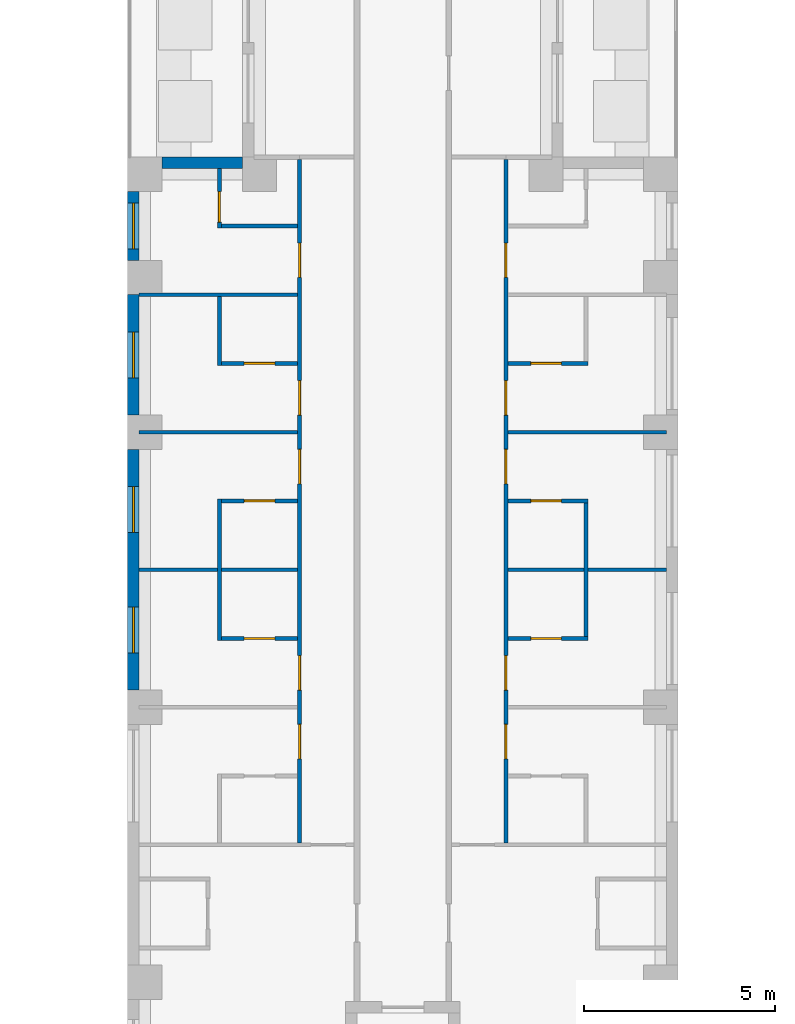
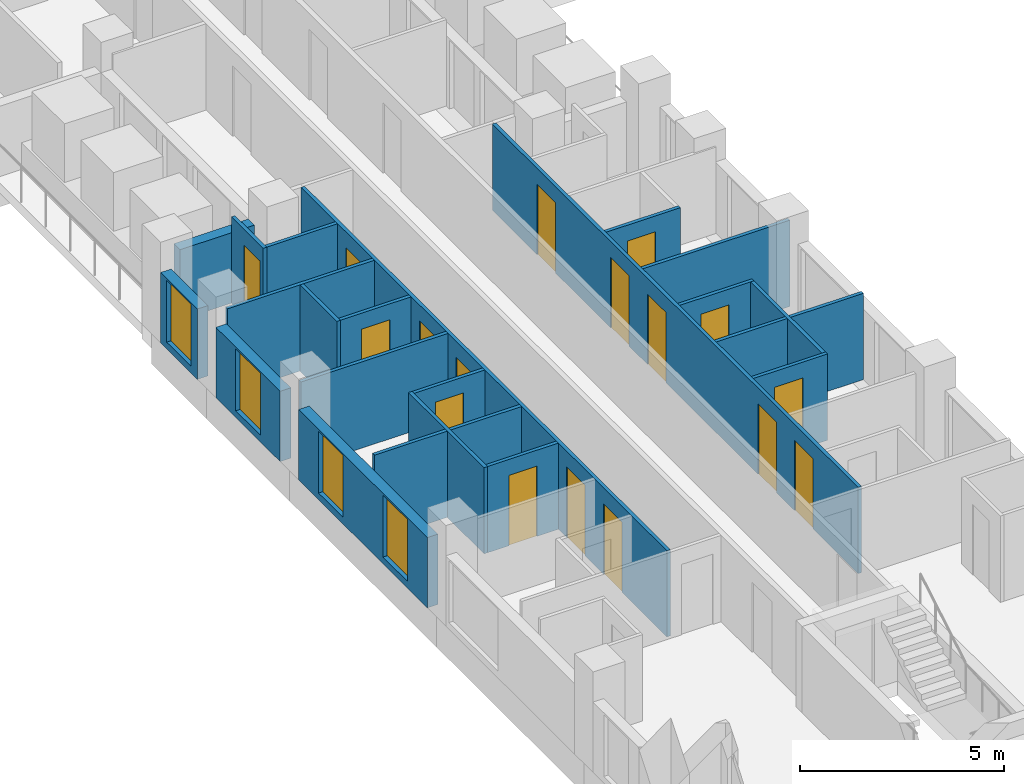
# One storey, part 4 of 14: 22 walls, 17 doors, 4 windows, 21 openings.
"""IFC4 building model written with IfcOpenShell, lengths in metres."""

from ifc_helpers import new_model, si_unit, direction, frame, frame_2d, origin, place, context, subcontext, project, spatial, rectangle, extrude, material, layer, layer_set, type_object, element, fill, save


model = new_model("IFC4")

# Units and contexts
model_context = context("Model", 3, precision=1e-05, world=origin(), true_north=direction((0.0, 1.0)))
body_context = subcontext(model_context, "Body", "Model", "MODEL_VIEW")
ifc_project = project(units=[si_unit("LENGTHUNIT", "METRE"), si_unit("AREAUNIT", "SQUARE_METRE"), si_unit("VOLUMEUNIT", "CUBIC_METRE"), si_unit("PLANEANGLEUNIT", "RADIAN"), si_unit("MASSUNIT", "GRAM", prefix="KILO")], contexts=[model_context])

# Site, building, storey
site_placement = place(None, origin())
site = spatial("IfcSite", under=ifc_project, at=site_placement, CompositionType="ELEMENT")
building_placement = place(site_placement, origin())
building = spatial("IfcBuilding", under=site, at=building_placement, Name="Fustian Cross Tower", CompositionType="ELEMENT")
storey_placement = place(building_placement, frame((0.0, 0.0, 96.89990234375)))
storey = spatial("IfcBuildingStorey", under=building, at=storey_placement, Name="L30", CompositionType="ELEMENT", Elevation=96.89990234375)

# Walls
ifc_material_1 = material(Name="Plasterboard on steel stud", Category="steel")
ifc_layer_1 = layer(ifc_material_1, 0.10009765625)
ifc_layer_set_1 = layer_set([ifc_layer_1], Name="Plasterboard on steel stud")
wall_type_1 = type_object("IfcWallType", Name="PARTITION 100 STUD", PredefinedType="PARTITIONING", material=ifc_layer_set_1)
for number, where, z_axis, x_axis, name in (
    (1, (-6.89990234375, -25.199951171875, 0.0), (0.0, 0.0, 1.0), (1.0, 0.0, 0.0), "Partition 19"),
    (2, (-6.89990234375, -21.60009765625, 0.0), (0.0, 0.0, 1.0), (1.0, 0.0, 0.0), "Partition 20"),
    (3, (-6.89990234375, -18.0, 0.0), (0.0, 0.0, 1.0), (1.0, 0.0, 0.0), "Partition 21"),
):
    element("IfcWall", number, at=place(storey_placement, frame(where, z_axis=z_axis, x_axis=x_axis)), inside=storey, type_object=wall_type_1, Name=name, PredefinedType="PARTITIONING", context=body_context, shape_type="SweptSolid", body=[
        extrude(rectangle(XDim=4.14990234375, YDim=0.10009765625, at=frame_2d((2.074951171875, 0.0))), origin(), (0.0, 0.0, 1.0), 2.5751953125),
    ])
wall_1_placement = place(storey_placement, frame((-4.800048828125, -27.050048828125, 0.0), z_axis=(0.0, 0.0, 1.0), x_axis=(0.0, 1.0, 0.0)))
element("IfcWall", 4, at=wall_1_placement, inside=storey, type_object=wall_type_1, Name="Partition 26", PredefinedType="PARTITIONING", context=body_context, shape_type="SweptSolid", body=[
    extrude(rectangle(XDim=3.699951171875, YDim=0.10009765625, at=frame_2d((1.85009765625, 0.0))), origin(), (0.0, 0.0, 1.0), 2.5751953125),
])

# Wall, opening, door
wall_2_placement = place(storey_placement, frame((-4.75, -27.0, 0.0), z_axis=(0.0, 0.0, 1.0), x_axis=(1.0, 0.0, 0.0)))
wall_2 = element("IfcWall", 5, at=wall_2_placement, inside=storey, type_object=wall_type_1, Name="Partition 27", PredefinedType="PARTITIONING", context=body_context, shape_type="SweptSolid", body=[
    extrude(rectangle(XDim=2.0, YDim=0.10009765625, at=frame_2d((1.0, 0.0))), origin(), (0.0, 0.0, 1.0), 2.5751953125),
])
opening_1_placement = place(wall_2_placement, frame((0.60009765625, 0.0, 0.0)))
opening_1 = element("IfcOpeningElement", 6, at=opening_1_placement, cuts=wall_2, Name="Opening D14062", PredefinedType="OPENING", context=body_context, shape_type="SweptSolid", body=[
    extrude(rectangle(XDim=0.800048828125, YDim=2.10009765625, at=frame_2d((0.39990234375, 1.050048828125))), frame((0.0, 0.06005859375, 0.0), z_axis=(0.0, -1.0, 0.0), x_axis=(1.0, 0.0, 0.0)), (0.0, 0.0, 1.0), 0.1201171875),
])
ifc_material_2 = material(Name="Painted timber", Category="wood")
door_type_1 = type_object("IfcDoorType", Name="SWING DOOR 800", OperationType="SINGLE_SWING_LEFT", PredefinedType="DOOR", material=ifc_material_2)
door_1_placement = place(opening_1_placement, origin())
door_1 = element("IfcDoor", 7, at=door_1_placement, inside=storey, type_object=door_type_1, Name="Door D14062", OperationType="SINGLE_SWING_LEFT", OverallHeight=2.10009765625, OverallWidth=0.800048828125, PredefinedType="DOOR", context=body_context, shape_type="SweptSolid", body=[
    extrude(rectangle(XDim=0.800048828125, YDim=2.10009765625, at=frame_2d((0.39990234375, 1.050048828125))), frame((0.0, 0.02490234375, 0.0), z_axis=(0.0, -1.0, 0.0), x_axis=(1.0, 0.0, 0.0)), (0.0, 0.0, 1.0), 0.050048828125),
])
fill(opening_1, door_1)

wall_3_placement = place(storey_placement, frame((-4.75, -23.39990234375, 0.0), z_axis=(0.0, 0.0, 1.0), x_axis=(1.0, 0.0, 0.0)))
wall_3 = element("IfcWall", 8, at=wall_3_placement, inside=storey, type_object=wall_type_1, Name="Partition 28", PredefinedType="PARTITIONING", context=body_context, shape_type="SweptSolid", body=[
    extrude(rectangle(XDim=2.0, YDim=0.10009765625, at=frame_2d((1.0, 0.0))), origin(), (0.0, 0.0, 1.0), 2.5751953125),
])
opening_2_placement = place(wall_3_placement, frame((0.60009765625, 0.0, 0.0)))
opening_2 = element("IfcOpeningElement", 9, at=opening_2_placement, cuts=wall_3, Name="Opening D14061", PredefinedType="OPENING", context=body_context, shape_type="SweptSolid", body=[
    extrude(rectangle(XDim=0.800048828125, YDim=2.10009765625, at=frame_2d((0.39990234375, 1.050048828125))), frame((0.0, 0.06005859375, 0.0), z_axis=(0.0, -1.0, 0.0), x_axis=(1.0, 0.0, 0.0)), (0.0, 0.0, 1.0), 0.1201171875),
])
door_2_placement = place(opening_2_placement, frame((0.800048828125, 0.0, 0.0), z_axis=(0.0, 0.0, 1.0), x_axis=(-1.0, 0.0, 0.0)))
door_2 = element("IfcDoor", 10, at=door_2_placement, inside=storey, type_object=door_type_1, Name="Door D14061", OperationType="SINGLE_SWING_RIGHT", OverallHeight=2.10009765625, OverallWidth=0.800048828125, PredefinedType="DOOR", context=body_context, shape_type="SweptSolid", body=[
    extrude(rectangle(XDim=0.800048828125, YDim=2.10009765625, at=frame_2d((0.39990234375, 1.050048828125))), frame((0.0, 0.02490234375, 0.0), z_axis=(0.0, -1.0, 0.0), x_axis=(1.0, 0.0, 0.0)), (0.0, 0.0, 1.0), 0.050048828125),
])
fill(opening_2, door_2)

# Wall
wall_4_placement = place(storey_placement, frame((-4.800048828125, -19.85009765625, 0.0), z_axis=(0.0, 0.0, 1.0), x_axis=(0.0, 1.0, 0.0)))
element("IfcWall", 11, at=wall_4_placement, inside=storey, type_object=wall_type_1, Name="Partition 29", PredefinedType="PARTITIONING", context=body_context, shape_type="SweptSolid", body=[
    extrude(rectangle(XDim=1.800048828125, YDim=0.10009765625, at=frame_2d((0.89990234375, 0.0))), origin(), (0.0, 0.0, 1.0), 2.5751953125),
])

# Wall, opening, door
wall_5_placement = place(storey_placement, frame((-4.75, -19.800048828125, 0.0), z_axis=(0.0, 0.0, 1.0), x_axis=(1.0, 0.0, 0.0)))
wall_5 = element("IfcWall", 12, at=wall_5_placement, inside=storey, type_object=wall_type_1, Name="Partition 30", PredefinedType="PARTITIONING", context=body_context, shape_type="SweptSolid", body=[
    extrude(rectangle(XDim=2.0, YDim=0.10009765625, at=frame_2d((1.0, 0.0))), origin(), (0.0, 0.0, 1.0), 2.5751953125),
])
opening_3_placement = place(wall_5_placement, frame((0.60009765625, 0.0, 0.0)))
opening_3 = element("IfcOpeningElement", 13, at=opening_3_placement, cuts=wall_5, Name="Opening D14060", PredefinedType="OPENING", context=body_context, shape_type="SweptSolid", body=[
    extrude(rectangle(XDim=0.800048828125, YDim=2.10009765625, at=frame_2d((0.39990234375, 1.050048828125))), frame((0.0, 0.06005859375, 0.0), z_axis=(0.0, -1.0, 0.0), x_axis=(1.0, 0.0, 0.0)), (0.0, 0.0, 1.0), 0.1201171875),
])
door_3_placement = place(opening_3_placement, origin())
door_3 = element("IfcDoor", 14, at=door_3_placement, inside=storey, type_object=door_type_1, Name="Door D14060", OperationType="SINGLE_SWING_LEFT", OverallHeight=2.10009765625, OverallWidth=0.800048828125, PredefinedType="DOOR", context=body_context, shape_type="SweptSolid", body=[
    extrude(rectangle(XDim=0.800048828125, YDim=2.10009765625, at=frame_2d((0.39990234375, 1.050048828125))), frame((0.0, 0.02490234375, 0.0), z_axis=(0.0, -1.0, 0.0), x_axis=(1.0, 0.0, 0.0)), (0.0, 0.0, 1.0), 0.050048828125),
])
fill(opening_3, door_3)

wall_6_placement = place(storey_placement, frame((-4.800048828125, -16.25, 0.0), z_axis=(0.0, 0.0, 1.0), x_axis=(0.0, 1.0, 0.0)))
wall_6 = element("IfcWall", 15, at=wall_6_placement, inside=storey, type_object=wall_type_1, Name="Partition 31", PredefinedType="PARTITIONING", context=body_context, shape_type="SweptSolid", body=[
    extrude(rectangle(XDim=1.550048828125, YDim=0.10009765625, at=frame_2d((0.77490234375, 0.0))), origin(), (0.0, 0.0, 1.0), 2.5751953125),
])
opening_4_placement = place(wall_6_placement, frame((0.14990234375, 0.0, 0.0)))
opening_4 = element("IfcOpeningElement", 16, at=opening_4_placement, cuts=wall_6, Name="Opening D14059", PredefinedType="OPENING", context=body_context, shape_type="SweptSolid", body=[
    extrude(rectangle(XDim=0.800048828125, YDim=2.10009765625, at=frame_2d((0.39990234375, 1.050048828125))), frame((0.0, 0.06005859375, 0.0), z_axis=(0.0, -1.0, 0.0), x_axis=(1.0, 0.0, 0.0)), (0.0, 0.0, 1.0), 0.1201171875),
])
door_4_placement = place(opening_4_placement, frame((0.800048828125, 0.0, 0.0), z_axis=(0.0, 0.0, 1.0), x_axis=(-1.0, 0.0, 0.0)))
door_4 = element("IfcDoor", 17, at=door_4_placement, inside=storey, type_object=door_type_1, Name="Door D14059", OperationType="SINGLE_SWING_RIGHT", OverallHeight=2.10009765625, OverallWidth=0.800048828125, PredefinedType="DOOR", context=body_context, shape_type="SweptSolid", body=[
    extrude(rectangle(XDim=0.800048828125, YDim=2.10009765625, at=frame_2d((0.39990234375, 1.050048828125))), frame((0.0, 0.02490234375, 0.0), z_axis=(0.0, -1.0, 0.0), x_axis=(1.0, 0.0, 0.0)), (0.0, 0.0, 1.0), 0.050048828125),
])
fill(opening_4, door_4)

# Wall
wall_7_placement = place(storey_placement, frame((-4.75, -16.199951171875, 0.0), z_axis=(0.0, 0.0, 1.0), x_axis=(1.0, 0.0, 0.0)))
element("IfcWall", 18, at=wall_7_placement, inside=storey, type_object=wall_type_1, Name="Partition 32", PredefinedType="PARTITIONING", context=body_context, shape_type="SweptSolid", body=[
    extrude(rectangle(XDim=2.0, YDim=0.10009765625, at=frame_2d((1.0, 0.0))), origin(), (0.0, 0.0, 1.0), 2.5751953125),
])

# Wall, openings, doors
wall_8_placement = place(storey_placement, frame((-2.699951171875, -32.35009765625, 0.0), z_axis=(0.0, 0.0, 1.0), x_axis=(0.0, 1.0, 0.0)))
wall_8 = element("IfcWall", 19, at=wall_8_placement, inside=storey, type_object=wall_type_1, Name="Partition 39", PredefinedType="PARTITIONING", context=body_context, shape_type="SweptSolid", body=[
    extrude(rectangle(XDim=17.8876953125, YDim=0.10009765625, at=frame_2d((8.94384765625, 0.0))), origin(), (0.0, 0.0, 1.0), 2.5751953125),
])
opening_5_placement = place(wall_8_placement, frame((2.199951171875, 0.0, 0.0)))
opening_5 = element("IfcOpeningElement", 20, at=opening_5_placement, cuts=wall_8, Name="Opening D14053", PredefinedType="OPENING", context=body_context, shape_type="SweptSolid", body=[
    extrude(rectangle(XDim=0.89990234375, YDim=2.10009765625, at=frame_2d((0.449951171875, 1.050048828125))), frame((0.0, 0.06005859375, 0.0), z_axis=(0.0, -1.0, 0.0), x_axis=(1.0, 0.0, 0.0)), (0.0, 0.0, 1.0), 0.1201171875),
])
opening_6_placement = place(wall_8_placement, frame((4.0, 0.0, 0.0)))
opening_6 = element("IfcOpeningElement", 21, at=opening_6_placement, cuts=wall_8, Name="Opening D14054", PredefinedType="OPENING", context=body_context, shape_type="SweptSolid", body=[
    extrude(rectangle(XDim=0.89990234375, YDim=2.10009765625, at=frame_2d((0.449951171875, 1.050048828125))), frame((0.0, 0.06005859375, 0.0), z_axis=(0.0, -1.0, 0.0), x_axis=(1.0, 0.0, 0.0)), (0.0, 0.0, 1.0), 0.1201171875),
])
opening_7_placement = place(wall_8_placement, frame((9.39990234375, 0.0, 0.0)))
opening_7 = element("IfcOpeningElement", 22, at=opening_7_placement, cuts=wall_8, Name="Opening D14055", PredefinedType="OPENING", context=body_context, shape_type="SweptSolid", body=[
    extrude(rectangle(XDim=0.89990234375, YDim=2.10009765625, at=frame_2d((0.449951171875, 1.050048828125))), frame((0.0, 0.06005859375, 0.0), z_axis=(0.0, -1.0, 0.0), x_axis=(1.0, 0.0, 0.0)), (0.0, 0.0, 1.0), 0.1201171875),
])
opening_8_placement = place(wall_8_placement, frame((11.199951171875, 0.0, 0.0)))
opening_8 = element("IfcOpeningElement", 23, at=opening_8_placement, cuts=wall_8, Name="Opening D14056", PredefinedType="OPENING", context=body_context, shape_type="SweptSolid", body=[
    extrude(rectangle(XDim=0.89990234375, YDim=2.10009765625, at=frame_2d((0.449951171875, 1.050048828125))), frame((0.0, 0.06005859375, 0.0), z_axis=(0.0, -1.0, 0.0), x_axis=(1.0, 0.0, 0.0)), (0.0, 0.0, 1.0), 0.1201171875),
])
opening_9_placement = place(wall_8_placement, frame((14.800048828125, 0.0, 0.0)))
opening_9 = element("IfcOpeningElement", 24, at=opening_9_placement, cuts=wall_8, Name="Opening D14057", PredefinedType="OPENING", context=body_context, shape_type="SweptSolid", body=[
    extrude(rectangle(XDim=0.89990234375, YDim=2.10009765625, at=frame_2d((0.449951171875, 1.050048828125))), frame((0.0, 0.06005859375, 0.0), z_axis=(0.0, -1.0, 0.0), x_axis=(1.0, 0.0, 0.0)), (0.0, 0.0, 1.0), 0.1201171875),
])
ifc_material_3 = material(Name="Painted timber", Category="wood")
door_type_2 = type_object("IfcDoorType", Name="SWING DOOR 900", OperationType="SINGLE_SWING_LEFT", PredefinedType="DOOR", material=ifc_material_3)
door_5_placement = place(opening_5_placement, origin())
door_5 = element("IfcDoor", 25, at=door_5_placement, inside=storey, type_object=door_type_2, Name="Door D14053", OperationType="SINGLE_SWING_LEFT", OverallHeight=2.10009765625, OverallWidth=0.89990234375, PredefinedType="DOOR", context=body_context, shape_type="SweptSolid", body=[
    extrude(rectangle(XDim=0.89990234375, YDim=2.10009765625, at=frame_2d((0.449951171875, 1.050048828125))), frame((0.0, 0.02490234375, 0.0), z_axis=(0.0, -1.0, 0.0), x_axis=(1.0, 0.0, 0.0)), (0.0, 0.0, 1.0), 0.050048828125),
])
fill(opening_5, door_5)
door_6_placement = place(opening_6_placement, origin())
door_6 = element("IfcDoor", 26, at=door_6_placement, inside=storey, type_object=door_type_2, Name="Door D14054", OperationType="SINGLE_SWING_LEFT", OverallHeight=2.10009765625, OverallWidth=0.89990234375, PredefinedType="DOOR", context=body_context, shape_type="SweptSolid", body=[
    extrude(rectangle(XDim=0.89990234375, YDim=2.10009765625, at=frame_2d((0.449951171875, 1.050048828125))), frame((0.0, 0.02490234375, 0.0), z_axis=(0.0, -1.0, 0.0), x_axis=(1.0, 0.0, 0.0)), (0.0, 0.0, 1.0), 0.050048828125),
])
fill(opening_6, door_6)
door_7_placement = place(opening_7_placement, origin())
door_7 = element("IfcDoor", 27, at=door_7_placement, inside=storey, type_object=door_type_2, Name="Door D14055", OperationType="SINGLE_SWING_LEFT", OverallHeight=2.10009765625, OverallWidth=0.89990234375, PredefinedType="DOOR", context=body_context, shape_type="SweptSolid", body=[
    extrude(rectangle(XDim=0.89990234375, YDim=2.10009765625, at=frame_2d((0.449951171875, 1.050048828125))), frame((0.0, 0.02490234375, 0.0), z_axis=(0.0, -1.0, 0.0), x_axis=(1.0, 0.0, 0.0)), (0.0, 0.0, 1.0), 0.050048828125),
])
fill(opening_7, door_7)
door_8_placement = place(opening_8_placement, origin())
door_8 = element("IfcDoor", 28, at=door_8_placement, inside=storey, type_object=door_type_2, Name="Door D14056", OperationType="SINGLE_SWING_LEFT", OverallHeight=2.10009765625, OverallWidth=0.89990234375, PredefinedType="DOOR", context=body_context, shape_type="SweptSolid", body=[
    extrude(rectangle(XDim=0.89990234375, YDim=2.10009765625, at=frame_2d((0.449951171875, 1.050048828125))), frame((0.0, 0.02490234375, 0.0), z_axis=(0.0, -1.0, 0.0), x_axis=(1.0, 0.0, 0.0)), (0.0, 0.0, 1.0), 0.050048828125),
])
fill(opening_8, door_8)
door_9_placement = place(opening_9_placement, origin())
door_9 = element("IfcDoor", 29, at=door_9_placement, inside=storey, type_object=door_type_2, Name="Door D14057", OperationType="SINGLE_SWING_LEFT", OverallHeight=2.10009765625, OverallWidth=0.89990234375, PredefinedType="DOOR", context=body_context, shape_type="SweptSolid", body=[
    extrude(rectangle(XDim=0.89990234375, YDim=2.10009765625, at=frame_2d((0.449951171875, 1.050048828125))), frame((0.0, 0.02490234375, 0.0), z_axis=(0.0, -1.0, 0.0), x_axis=(1.0, 0.0, 0.0)), (0.0, 0.0, 1.0), 0.050048828125),
])
fill(opening_9, door_9)

wall_9_placement = place(storey_placement, frame((2.699951171875, -32.35009765625, 0.0), z_axis=(0.0, 0.0, 1.0), x_axis=(0.0, 1.0, 0.0)))
wall_9 = element("IfcWall", 30, at=wall_9_placement, inside=storey, type_object=wall_type_1, Name="Partition 56", PredefinedType="PARTITIONING", context=body_context, shape_type="SweptSolid", body=[
    extrude(rectangle(XDim=17.8876953125, YDim=0.10009765625, at=frame_2d((8.94384765625, 0.0))), origin(), (0.0, 0.0, 1.0), 2.5751953125),
])
opening_10_placement = place(wall_9_placement, frame((2.199951171875, 0.0, 0.0)))
opening_10 = element("IfcOpeningElement", 31, at=opening_10_placement, cuts=wall_9, Name="Opening D14040", PredefinedType="OPENING", context=body_context, shape_type="SweptSolid", body=[
    extrude(rectangle(XDim=0.89990234375, YDim=2.10009765625, at=frame_2d((0.449951171875, 1.050048828125))), frame((0.0, 0.06005859375, 0.0), z_axis=(0.0, -1.0, 0.0), x_axis=(1.0, 0.0, 0.0)), (0.0, 0.0, 1.0), 0.1201171875),
])
opening_11_placement = place(wall_9_placement, frame((4.0, 0.0, 0.0)))
opening_11 = element("IfcOpeningElement", 32, at=opening_11_placement, cuts=wall_9, Name="Opening D14041", PredefinedType="OPENING", context=body_context, shape_type="SweptSolid", body=[
    extrude(rectangle(XDim=0.89990234375, YDim=2.10009765625, at=frame_2d((0.449951171875, 1.050048828125))), frame((0.0, 0.06005859375, 0.0), z_axis=(0.0, -1.0, 0.0), x_axis=(1.0, 0.0, 0.0)), (0.0, 0.0, 1.0), 0.1201171875),
])
opening_12_placement = place(wall_9_placement, frame((9.39990234375, 0.0, 0.0)))
opening_12 = element("IfcOpeningElement", 33, at=opening_12_placement, cuts=wall_9, Name="Opening D14042", PredefinedType="OPENING", context=body_context, shape_type="SweptSolid", body=[
    extrude(rectangle(XDim=0.89990234375, YDim=2.10009765625, at=frame_2d((0.449951171875, 1.050048828125))), frame((0.0, 0.06005859375, 0.0), z_axis=(0.0, -1.0, 0.0), x_axis=(1.0, 0.0, 0.0)), (0.0, 0.0, 1.0), 0.1201171875),
])
opening_13_placement = place(wall_9_placement, frame((11.199951171875, 0.0, 0.0)))
opening_13 = element("IfcOpeningElement", 34, at=opening_13_placement, cuts=wall_9, Name="Opening D14043", PredefinedType="OPENING", context=body_context, shape_type="SweptSolid", body=[
    extrude(rectangle(XDim=0.89990234375, YDim=2.10009765625, at=frame_2d((0.449951171875, 1.050048828125))), frame((0.0, 0.06005859375, 0.0), z_axis=(0.0, -1.0, 0.0), x_axis=(1.0, 0.0, 0.0)), (0.0, 0.0, 1.0), 0.1201171875),
])
opening_14_placement = place(wall_9_placement, frame((14.800048828125, 0.0, 0.0)))
opening_14 = element("IfcOpeningElement", 35, at=opening_14_placement, cuts=wall_9, Name="Opening D14044", PredefinedType="OPENING", context=body_context, shape_type="SweptSolid", body=[
    extrude(rectangle(XDim=0.89990234375, YDim=2.10009765625, at=frame_2d((0.449951171875, 1.050048828125))), frame((0.0, 0.06005859375, 0.0), z_axis=(0.0, -1.0, 0.0), x_axis=(1.0, 0.0, 0.0)), (0.0, 0.0, 1.0), 0.1201171875),
])
door_10_placement = place(opening_10_placement, frame((0.89990234375, 0.0, 0.0), z_axis=(0.0, 0.0, 1.0), x_axis=(-1.0, 0.0, 0.0)))
door_10 = element("IfcDoor", 36, at=door_10_placement, inside=storey, type_object=door_type_2, Name="Door D14040", OperationType="SINGLE_SWING_RIGHT", OverallHeight=2.10009765625, OverallWidth=0.89990234375, PredefinedType="DOOR", context=body_context, shape_type="SweptSolid", body=[
    extrude(rectangle(XDim=0.89990234375, YDim=2.10009765625, at=frame_2d((0.449951171875, 1.050048828125))), frame((0.0, 0.02490234375, 0.0), z_axis=(0.0, -1.0, 0.0), x_axis=(1.0, 0.0, 0.0)), (0.0, 0.0, 1.0), 0.050048828125),
])
fill(opening_10, door_10)
door_11_placement = place(opening_11_placement, frame((0.89990234375, 0.0, 0.0), z_axis=(0.0, 0.0, 1.0), x_axis=(-1.0, 0.0, 0.0)))
door_11 = element("IfcDoor", 37, at=door_11_placement, inside=storey, type_object=door_type_2, Name="Door D14041", OperationType="SINGLE_SWING_RIGHT", OverallHeight=2.10009765625, OverallWidth=0.89990234375, PredefinedType="DOOR", context=body_context, shape_type="SweptSolid", body=[
    extrude(rectangle(XDim=0.89990234375, YDim=2.10009765625, at=frame_2d((0.449951171875, 1.050048828125))), frame((0.0, 0.02490234375, 0.0), z_axis=(0.0, -1.0, 0.0), x_axis=(1.0, 0.0, 0.0)), (0.0, 0.0, 1.0), 0.050048828125),
])
fill(opening_11, door_11)
door_12_placement = place(opening_12_placement, frame((0.89990234375, 0.0, 0.0), z_axis=(0.0, 0.0, 1.0), x_axis=(-1.0, 0.0, 0.0)))
door_12 = element("IfcDoor", 38, at=door_12_placement, inside=storey, type_object=door_type_2, Name="Door D14042", OperationType="SINGLE_SWING_RIGHT", OverallHeight=2.10009765625, OverallWidth=0.89990234375, PredefinedType="DOOR", context=body_context, shape_type="SweptSolid", body=[
    extrude(rectangle(XDim=0.89990234375, YDim=2.10009765625, at=frame_2d((0.449951171875, 1.050048828125))), frame((0.0, 0.02490234375, 0.0), z_axis=(0.0, -1.0, 0.0), x_axis=(1.0, 0.0, 0.0)), (0.0, 0.0, 1.0), 0.050048828125),
])
fill(opening_12, door_12)
door_13_placement = place(opening_13_placement, frame((0.89990234375, 0.0, 0.0), z_axis=(0.0, 0.0, 1.0), x_axis=(-1.0, 0.0, 0.0)))
door_13 = element("IfcDoor", 39, at=door_13_placement, inside=storey, type_object=door_type_2, Name="Door D14043", OperationType="SINGLE_SWING_RIGHT", OverallHeight=2.10009765625, OverallWidth=0.89990234375, PredefinedType="DOOR", context=body_context, shape_type="SweptSolid", body=[
    extrude(rectangle(XDim=0.89990234375, YDim=2.10009765625, at=frame_2d((0.449951171875, 1.050048828125))), frame((0.0, 0.02490234375, 0.0), z_axis=(0.0, -1.0, 0.0), x_axis=(1.0, 0.0, 0.0)), (0.0, 0.0, 1.0), 0.050048828125),
])
fill(opening_13, door_13)
door_14_placement = place(opening_14_placement, frame((0.89990234375, 0.0, 0.0), z_axis=(0.0, 0.0, 1.0), x_axis=(-1.0, 0.0, 0.0)))
door_14 = element("IfcDoor", 40, at=door_14_placement, inside=storey, type_object=door_type_2, Name="Door D14044", OperationType="SINGLE_SWING_RIGHT", OverallHeight=2.10009765625, OverallWidth=0.89990234375, PredefinedType="DOOR", context=body_context, shape_type="SweptSolid", body=[
    extrude(rectangle(XDim=0.89990234375, YDim=2.10009765625, at=frame_2d((0.449951171875, 1.050048828125))), frame((0.0, 0.02490234375, 0.0), z_axis=(0.0, -1.0, 0.0), x_axis=(1.0, 0.0, 0.0)), (0.0, 0.0, 1.0), 0.050048828125),
])
fill(opening_14, door_14)

# Wall, opening, door
wall_10_placement = place(storey_placement, frame((2.75, -27.0, 0.0), z_axis=(0.0, 0.0, 1.0), x_axis=(1.0, 0.0, 0.0)))
wall_10 = element("IfcWall", 41, at=wall_10_placement, inside=storey, type_object=wall_type_1, Name="Partition 59", PredefinedType="PARTITIONING", context=body_context, shape_type="SweptSolid", body=[
    extrude(rectangle(XDim=2.10009765625, YDim=0.10009765625, at=frame_2d((1.050048828125, 0.0))), origin(), (0.0, 0.0, 1.0), 2.5751953125),
])
opening_15_placement = place(wall_10_placement, frame((0.60009765625, 0.0, 0.0)))
opening_15 = element("IfcOpeningElement", 42, at=opening_15_placement, cuts=wall_10, Name="Opening D14048", PredefinedType="OPENING", context=body_context, shape_type="SweptSolid", body=[
    extrude(rectangle(XDim=0.800048828125, YDim=2.10009765625, at=frame_2d((0.39990234375, 1.050048828125))), frame((0.0, 0.06005859375, 0.0), z_axis=(0.0, -1.0, 0.0), x_axis=(1.0, 0.0, 0.0)), (0.0, 0.0, 1.0), 0.1201171875),
])
door_15_placement = place(opening_15_placement, origin())
door_15 = element("IfcDoor", 43, at=door_15_placement, inside=storey, type_object=door_type_1, Name="Door D14048", OperationType="SINGLE_SWING_LEFT", OverallHeight=2.10009765625, OverallWidth=0.800048828125, PredefinedType="DOOR", context=body_context, shape_type="SweptSolid", body=[
    extrude(rectangle(XDim=0.800048828125, YDim=2.10009765625, at=frame_2d((0.39990234375, 1.050048828125))), frame((0.0, 0.02490234375, 0.0), z_axis=(0.0, -1.0, 0.0), x_axis=(1.0, 0.0, 0.0)), (0.0, 0.0, 1.0), 0.050048828125),
])
fill(opening_15, door_15)

# Wall
wall_11_placement = place(storey_placement, frame((2.75, -25.199951171875, 0.0), z_axis=(0.0, 0.0, 1.0), x_axis=(1.0, 0.0, 0.0)))
element("IfcWall", 44, at=wall_11_placement, inside=storey, type_object=wall_type_1, Name="Partition 60", PredefinedType="PARTITIONING", context=body_context, shape_type="SweptSolid", body=[
    extrude(rectangle(XDim=4.14990234375, YDim=0.10009765625, at=frame_2d((2.074951171875, 0.0))), origin(), (0.0, 0.0, 1.0), 2.5751953125),
])

# Wall, opening, door
wall_12_placement = place(storey_placement, frame((2.75, -23.39990234375, 0.0), z_axis=(0.0, 0.0, 1.0), x_axis=(1.0, 0.0, 0.0)))
wall_12 = element("IfcWall", 45, at=wall_12_placement, inside=storey, type_object=wall_type_1, Name="Partition 61", PredefinedType="PARTITIONING", context=body_context, shape_type="SweptSolid", body=[
    extrude(rectangle(XDim=2.10009765625, YDim=0.10009765625, at=frame_2d((1.050048828125, 0.0))), origin(), (0.0, 0.0, 1.0), 2.5751953125),
])
opening_16_placement = place(wall_12_placement, frame((0.60009765625, 0.0, 0.0)))
opening_16 = element("IfcOpeningElement", 46, at=opening_16_placement, cuts=wall_12, Name="Opening D14047", PredefinedType="OPENING", context=body_context, shape_type="SweptSolid", body=[
    extrude(rectangle(XDim=0.800048828125, YDim=2.10009765625, at=frame_2d((0.39990234375, 1.050048828125))), frame((0.0, 0.06005859375, 0.0), z_axis=(0.0, -1.0, 0.0), x_axis=(1.0, 0.0, 0.0)), (0.0, 0.0, 1.0), 0.1201171875),
])
door_16_placement = place(opening_16_placement, frame((0.800048828125, 0.0, 0.0), z_axis=(0.0, 0.0, 1.0), x_axis=(-1.0, 0.0, 0.0)))
door_16 = element("IfcDoor", 47, at=door_16_placement, inside=storey, type_object=door_type_1, Name="Door D14047", OperationType="SINGLE_SWING_RIGHT", OverallHeight=2.10009765625, OverallWidth=0.800048828125, PredefinedType="DOOR", context=body_context, shape_type="SweptSolid", body=[
    extrude(rectangle(XDim=0.800048828125, YDim=2.10009765625, at=frame_2d((0.39990234375, 1.050048828125))), frame((0.0, 0.02490234375, 0.0), z_axis=(0.0, -1.0, 0.0), x_axis=(1.0, 0.0, 0.0)), (0.0, 0.0, 1.0), 0.050048828125),
])
fill(opening_16, door_16)

# Wall
wall_13_placement = place(storey_placement, frame((2.75, -21.60009765625, 0.0), z_axis=(0.0, 0.0, 1.0), x_axis=(1.0, 0.0, 0.0)))
element("IfcWall", 48, at=wall_13_placement, inside=storey, type_object=wall_type_1, Name="Partition 62", PredefinedType="PARTITIONING", context=body_context, shape_type="SweptSolid", body=[
    extrude(rectangle(XDim=4.14990234375, YDim=0.10009765625, at=frame_2d((2.074951171875, 0.0))), origin(), (0.0, 0.0, 1.0), 2.5751953125),
])

# Wall, opening, door
wall_14_placement = place(storey_placement, frame((2.75, -19.800048828125, 0.0), z_axis=(0.0, 0.0, 1.0), x_axis=(1.0, 0.0, 0.0)))
wall_14 = element("IfcWall", 49, at=wall_14_placement, inside=storey, type_object=wall_type_1, Name="Partition 63", PredefinedType="PARTITIONING", context=body_context, shape_type="SweptSolid", body=[
    extrude(rectangle(XDim=2.10009765625, YDim=0.10009765625, at=frame_2d((1.050048828125, 0.0))), origin(), (0.0, 0.0, 1.0), 2.5751953125),
])
opening_17_placement = place(wall_14_placement, frame((0.60009765625, 0.0, 0.0)))
opening_17 = element("IfcOpeningElement", 50, at=opening_17_placement, cuts=wall_14, Name="Opening D14046", PredefinedType="OPENING", context=body_context, shape_type="SweptSolid", body=[
    extrude(rectangle(XDim=0.800048828125, YDim=2.10009765625, at=frame_2d((0.39990234375, 1.050048828125))), frame((0.0, 0.06005859375, 0.0), z_axis=(0.0, -1.0, 0.0), x_axis=(1.0, 0.0, 0.0)), (0.0, 0.0, 1.0), 0.1201171875),
])
door_17_placement = place(opening_17_placement, origin())
door_17 = element("IfcDoor", 51, at=door_17_placement, inside=storey, type_object=door_type_1, Name="Door D14046", OperationType="SINGLE_SWING_LEFT", OverallHeight=2.10009765625, OverallWidth=0.800048828125, PredefinedType="DOOR", context=body_context, shape_type="SweptSolid", body=[
    extrude(rectangle(XDim=0.800048828125, YDim=2.10009765625, at=frame_2d((0.39990234375, 1.050048828125))), frame((0.0, 0.02490234375, 0.0), z_axis=(0.0, -1.0, 0.0), x_axis=(1.0, 0.0, 0.0)), (0.0, 0.0, 1.0), 0.050048828125),
])
fill(opening_17, door_17)

# Walls
wall_15_placement = place(storey_placement, frame((4.800048828125, -26.949951171875, 0.0), z_axis=(0.0, 0.0, 1.0), x_axis=(0.0, 1.0, 0.0)))
element("IfcWall", 52, at=wall_15_placement, inside=storey, type_object=wall_type_1, Name="Partition 70", PredefinedType="PARTITIONING", context=body_context, shape_type="SweptSolid", body=[
    extrude(rectangle(XDim=3.5, YDim=0.10009765625, at=frame_2d((1.75, 0.0))), origin(), (0.0, 0.0, 1.0), 2.5751953125),
])
ifc_material_4 = material(Name="Dark aluminium cladding on insulated backing wall", Category="aluminium")
ifc_layer_2 = layer(ifc_material_4, 0.300048828125)
ifc_layer_set_2 = layer_set([ifc_layer_2], Name="Dark aluminium cladding on insulated backing wall")
wall_type_2 = type_object("IfcWallType", Name="XW1 EXTERNAL WALL 300", PredefinedType="SOLIDWALL", material=ifc_layer_set_2)
wall_16_placement = place(storey_placement, frame((-4.199951171875, -14.550048828125, 0.0), z_axis=(0.0, 0.0, 1.0), x_axis=(-1.0, 0.0, 0.0)))
element("IfcWall", 53, at=wall_16_placement, inside=storey, type_object=wall_type_2, Name="External wall", PredefinedType="SOLIDWALL", context=body_context, shape_type="SweptSolid", body=[
    extrude(rectangle(XDim=2.10009765625, YDim=0.300048828125, at=frame_2d((1.050048828125, 0.0))), origin(), (0.0, 0.0, 1.0), 2.10009765625),
])

# Wall, opening, window
wall_17_placement = place(storey_placement, frame((-7.050048828125, -15.300048828125, 0.0), z_axis=(0.0, 0.0, 1.0), x_axis=(0.0, -1.0, 0.0)))
wall_17 = element("IfcWall", 54, at=wall_17_placement, inside=storey, type_object=wall_type_2, Name="External wall", PredefinedType="SOLIDWALL", context=body_context, shape_type="SweptSolid", body=[
    extrude(rectangle(XDim=1.800048828125, YDim=0.300048828125, at=frame_2d((0.89990234375, 0.0))), origin(), (0.0, 0.0, 1.0), 2.10009765625),
])
opening_18_placement = place(wall_17_placement, frame((0.300048828125, 0.0, 0.199951171875)))
opening_18 = element("IfcOpeningElement", 55, at=opening_18_placement, cuts=wall_17, Name="Opening WN3", PredefinedType="OPENING", context=body_context, shape_type="SweptSolid", body=[
    extrude(rectangle(XDim=1.199951171875, YDim=1.85009765625, at=frame_2d((0.60009765625, 0.925048828125))), frame((0.0, 0.159912109375, 0.0), z_axis=(0.0, -1.0, 0.0), x_axis=(1.0, 0.0, 0.0)), (0.0, 0.0, 1.0), 0.320068359375),
])
ifc_material_5 = material(Name="Dark anodised aluminium and double glazing", Category="aluminium")
window_type = type_object("IfcWindowType", Name="WN3 WINDOW 1200X1850", PartitioningType="SINGLE_PANEL", PredefinedType="WINDOW", material=ifc_material_5)
window_1_placement = place(opening_18_placement, origin())
window_1 = element("IfcWindow", 56, at=window_1_placement, inside=storey, type_object=window_type, Name="Window", OverallHeight=1.85009765625, OverallWidth=1.199951171875, PartitioningType="SINGLE_PANEL", PredefinedType="WINDOW", context=body_context, shape_type="SweptSolid", body=[
    extrude(rectangle(XDim=1.199951171875, YDim=1.85009765625, at=frame_2d((0.60009765625, 0.925048828125))), frame((0.0, 0.030029296875, 0.0), z_axis=(0.0, -1.0, 0.0), x_axis=(1.0, 0.0, 0.0)), (0.0, 0.0, 1.0), 0.06005859375),
])
fill(opening_18, window_1)

wall_18_placement = place(storey_placement, frame((-7.050048828125, -18.0, 0.0), z_axis=(0.0, 0.0, 1.0), x_axis=(0.0, -1.0, 0.0)))
wall_18 = element("IfcWall", 57, at=wall_18_placement, inside=storey, type_object=wall_type_2, Name="External wall", PredefinedType="SOLIDWALL", context=body_context, shape_type="SweptSolid", body=[
    extrude(rectangle(XDim=3.14990234375, YDim=0.300048828125, at=frame_2d((1.574951171875, 0.0))), origin(), (0.0, 0.0, 1.0), 2.10009765625),
])
opening_19_placement = place(wall_18_placement, frame((0.97509765625, 0.0, 0.199951171875)))
opening_19 = element("IfcOpeningElement", 58, at=opening_19_placement, cuts=wall_18, Name="Opening WN3", PredefinedType="OPENING", context=body_context, shape_type="SweptSolid", body=[
    extrude(rectangle(XDim=1.199951171875, YDim=1.85009765625, at=frame_2d((0.60009765625, 0.925048828125))), frame((0.0, 0.159912109375, 0.0), z_axis=(0.0, -1.0, 0.0), x_axis=(1.0, 0.0, 0.0)), (0.0, 0.0, 1.0), 0.320068359375),
])
window_2_placement = place(opening_19_placement, origin())
window_2 = element("IfcWindow", 59, at=window_2_placement, inside=storey, type_object=window_type, Name="Window", OverallHeight=1.85009765625, OverallWidth=1.199951171875, PartitioningType="SINGLE_PANEL", PredefinedType="WINDOW", context=body_context, shape_type="SweptSolid", body=[
    extrude(rectangle(XDim=1.199951171875, YDim=1.85009765625, at=frame_2d((0.60009765625, 0.925048828125))), frame((0.0, 0.030029296875, 0.0), z_axis=(0.0, -1.0, 0.0), x_axis=(1.0, 0.0, 0.0)), (0.0, 0.0, 1.0), 0.06005859375),
])
fill(opening_19, window_2)

# Wall, openings, windows
wall_19_placement = place(storey_placement, frame((-7.050048828125, -22.050048828125, 0.0), z_axis=(0.0, 0.0, 1.0), x_axis=(0.0, -1.0, 0.0)))
wall_19 = element("IfcWall", 60, at=wall_19_placement, inside=storey, type_object=wall_type_2, Name="External wall", PredefinedType="SOLIDWALL", context=body_context, shape_type="SweptSolid", body=[
    extrude(rectangle(XDim=6.300048828125, YDim=0.300048828125, at=frame_2d((3.14990234375, 0.0))), origin(), (0.0, 0.0, 1.0), 2.10009765625),
])
opening_20_placement = place(wall_19_placement, frame((0.97509765625, 0.0, 0.199951171875)))
opening_20 = element("IfcOpeningElement", 61, at=opening_20_placement, cuts=wall_19, Name="Opening WN3", PredefinedType="OPENING", context=body_context, shape_type="SweptSolid", body=[
    extrude(rectangle(XDim=1.199951171875, YDim=1.85009765625, at=frame_2d((0.60009765625, 0.925048828125))), frame((0.0, 0.159912109375, 0.0), z_axis=(0.0, -1.0, 0.0), x_axis=(1.0, 0.0, 0.0)), (0.0, 0.0, 1.0), 0.320068359375),
])
opening_21_placement = place(wall_19_placement, frame((4.125, 0.0, 0.199951171875)))
opening_21 = element("IfcOpeningElement", 62, at=opening_21_placement, cuts=wall_19, Name="Opening WN3", PredefinedType="OPENING", context=body_context, shape_type="SweptSolid", body=[
    extrude(rectangle(XDim=1.199951171875, YDim=1.85009765625, at=frame_2d((0.60009765625, 0.925048828125))), frame((0.0, 0.159912109375, 0.0), z_axis=(0.0, -1.0, 0.0), x_axis=(1.0, 0.0, 0.0)), (0.0, 0.0, 1.0), 0.320068359375),
])
window_3_placement = place(opening_20_placement, origin())
window_3 = element("IfcWindow", 63, at=window_3_placement, inside=storey, type_object=window_type, Name="Window", OverallHeight=1.85009765625, OverallWidth=1.199951171875, PartitioningType="SINGLE_PANEL", PredefinedType="WINDOW", context=body_context, shape_type="SweptSolid", body=[
    extrude(rectangle(XDim=1.199951171875, YDim=1.85009765625, at=frame_2d((0.60009765625, 0.925048828125))), frame((0.0, 0.030029296875, 0.0), z_axis=(0.0, -1.0, 0.0), x_axis=(1.0, 0.0, 0.0)), (0.0, 0.0, 1.0), 0.06005859375),
])
fill(opening_20, window_3)
window_4_placement = place(opening_21_placement, origin())
window_4 = element("IfcWindow", 64, at=window_4_placement, inside=storey, type_object=window_type, Name="Window", OverallHeight=1.85009765625, OverallWidth=1.199951171875, PartitioningType="SINGLE_PANEL", PredefinedType="WINDOW", context=body_context, shape_type="SweptSolid", body=[
    extrude(rectangle(XDim=1.199951171875, YDim=1.85009765625, at=frame_2d((0.60009765625, 0.925048828125))), frame((0.0, 0.030029296875, 0.0), z_axis=(0.0, -1.0, 0.0), x_axis=(1.0, 0.0, 0.0)), (0.0, 0.0, 1.0), 0.06005859375),
])
fill(opening_21, window_4)

save(model, "model.ifc")
